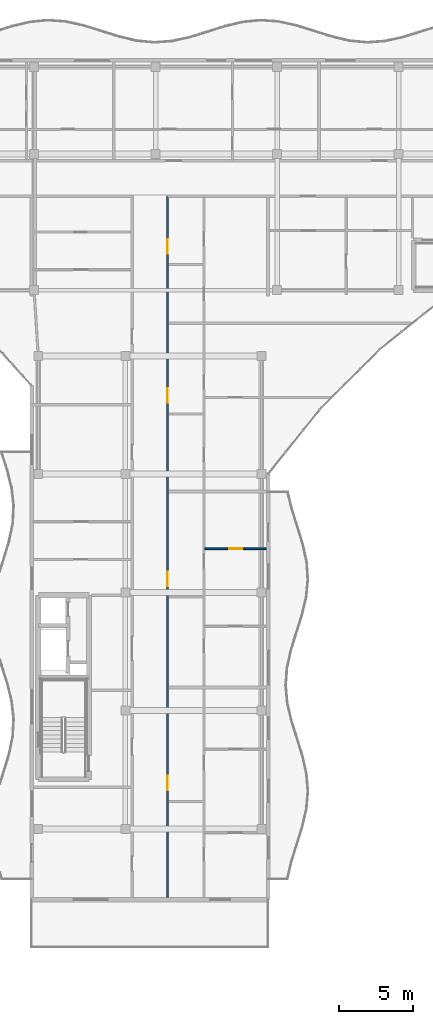
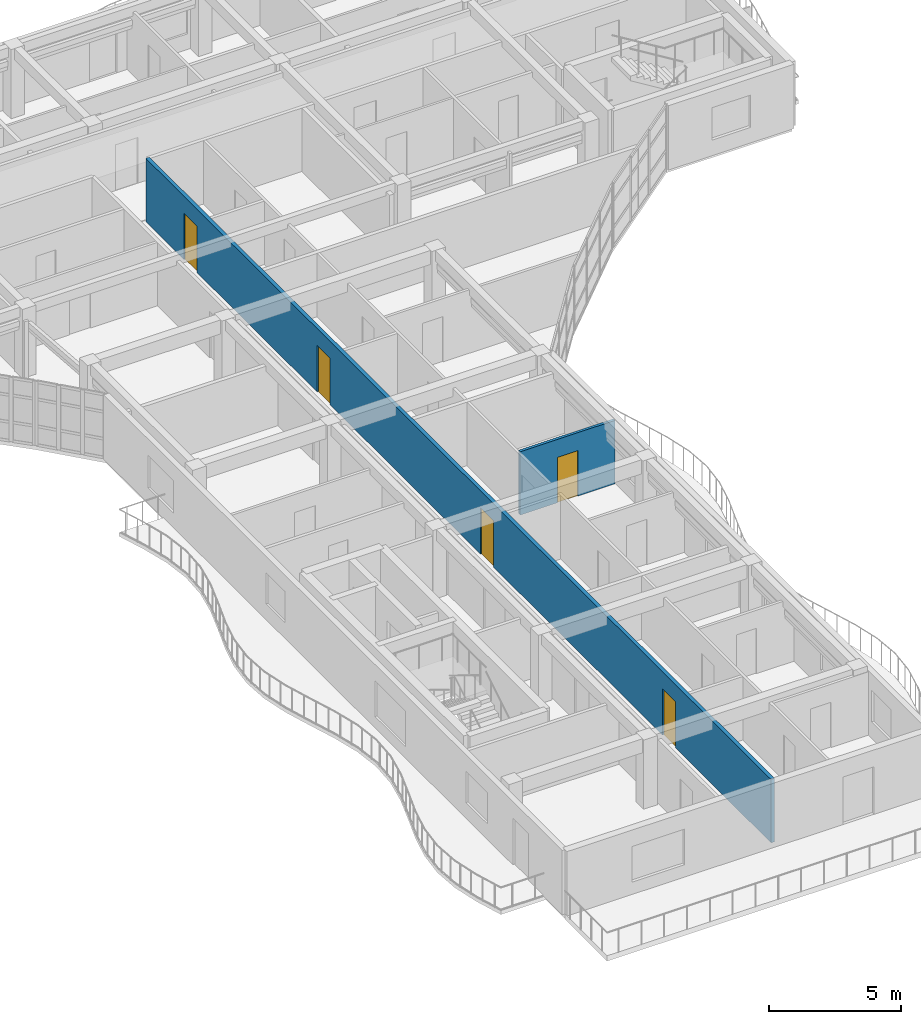
# One storey, part 32 of 71: 5 doors, 2 walls, 5 openings.
"""IFC4 building model written with IfcOpenShell, lengths in metres."""

from ifc_helpers import new_model, si_unit, direction, frame, frame_2d, origin, place, context, subcontext, project, spatial, rectangle, extrude, material, layer, layer_set, type_object, element, fill, save


model = new_model("IFC4")

# Units and contexts
model_context = context("Model", 3, precision=1e-05, world=origin(), true_north=direction((0.0, 1.0)))
body_context = subcontext(model_context, "Body", "Model", "MODEL_VIEW")
ifc_project = project(units=[si_unit("LENGTHUNIT", "METRE"), si_unit("AREAUNIT", "SQUARE_METRE"), si_unit("VOLUMEUNIT", "CUBIC_METRE"), si_unit("PLANEANGLEUNIT", "RADIAN"), si_unit("MASSUNIT", "GRAM", prefix="KILO")], contexts=[model_context])

# Site, building, storey
site_placement = place(None, origin())
site = spatial("IfcSite", under=ifc_project, at=site_placement, CompositionType="ELEMENT")
building_placement = place(site_placement, origin())
building = spatial("IfcBuilding", under=site, at=building_placement, Name="Keldmere Railside Commons", CompositionType="ELEMENT")
storey_placement = place(building_placement, frame((0.0, 0.0, 20.159912109375)))
storey = spatial("IfcBuildingStorey", under=building, at=storey_placement, Name="L06", CompositionType="ELEMENT", Elevation=20.159912109375)

# Wall, opening, door
ifc_material_1 = material(Name="Acoustic Gypsum Board Partition", Category="gypsum")
ifc_layer_1 = layer(ifc_material_1, 0.1201171875, Name="Apartment Interior Partition 120")
ifc_layer_set_1 = layer_set([ifc_layer_1], Name="Acoustic Gypsum Board Partition")
wall_type_1 = type_object("IfcWallType", Name="Apartment Interior Partition 120", PredefinedType="PARTITIONING", material=ifc_layer_set_1)
wall_1_placement = place(storey_placement, frame((59.719970703125, 82.949951171875, 0.0), z_axis=(0.0, 0.0, 1.0), x_axis=(1.0, 0.0, 0.0)))
wall_1 = element("IfcWall", 1, at=wall_1_placement, inside=storey, type_object=wall_type_1, Name="IW-4 IW-L06-0744", PredefinedType="PARTITIONING", context=body_context, shape_type="SweptSolid", body=[
    extrude(rectangle(XDim=4.159912109375, YDim=0.1201171875, at=frame_2d((2.080078125, 0.0))), origin(), (0.0, 0.0, 1.0), 2.93505859375),
])
opening_1_placement = place(wall_1_placement, frame((1.639892578125, 0.0, 0.0)))
opening_1 = element("IfcOpeningElement", 2, at=opening_1_placement, cuts=wall_1, Name="Opening ID-02", PredefinedType="OPENING", context=body_context, shape_type="SweptSolid", body=[
    extrude(rectangle(XDim=0.8798828125, YDim=2.10009765625, at=frame_2d((0.43994140625, 1.050048828125))), frame((0.0, 0.070068359375, 0.0), z_axis=(0.0, -1.0, 0.0), x_axis=(1.0, 0.0, 0.0)), (0.0, 0.0, 1.0), 0.14013671875),
])
ifc_material_2 = material(Name="Engineered Oak Timber", Category="wood")
door_type_1 = type_object("IfcDoorType", Name="Secondary Bedroom Door 880x2100", OperationType="NOTDEFINED", PredefinedType="DOOR", material=ifc_material_2)
door_1_placement = place(opening_1_placement, origin())
door_1 = element("IfcDoor", 3, at=door_1_placement, inside=storey, type_object=door_type_1, Name="ID-02 IDR-L06-0626", OperationType="SINGLE_SWING_RIGHT", OverallHeight=2.10009765625, OverallWidth=0.8798828125, PredefinedType="DOOR", context=body_context, shape_type="SweptSolid", body=[
    extrude(rectangle(XDim=0.8798828125, YDim=2.10009765625, at=frame_2d((0.43994140625, 1.050048828125))), frame((0.0, 0.02490234375, 0.0), z_axis=(0.0, -1.0, 0.0), x_axis=(1.0, 0.0, 0.0)), (0.0, 0.0, 1.0), 0.050048828125),
])
fill(opening_1, door_1)

# Wall, openings, doors
ifc_layer_2 = layer(ifc_material_1, 0.159912109375, Name="Corridor Fire Partition 160")
ifc_layer_set_2 = layer_set([ifc_layer_2], Name="Acoustic Gypsum Board Partition")
wall_type_2 = type_object("IfcWallType", Name="Corridor Fire Partition 160", PredefinedType="PARTITIONING", material=ifc_layer_set_2)
wall_2_placement = place(storey_placement, frame((57.199951171875, 59.360107421875, 0.0), z_axis=(0.0, 0.0, 1.0), x_axis=(0.0, 1.0, 0.0)))
wall_2 = element("IfcWall", 4, at=wall_2_placement, inside=storey, type_object=wall_type_2, Name="IW-2 IW-L06-0726", PredefinedType="PARTITIONING", context=body_context, shape_type="SweptSolid", body=[
    extrude(rectangle(XDim=47.43994140625, YDim=0.159912109375, at=frame_2d((23.719970703125, 0.0))), origin(), (0.0, 0.0, 1.0), 2.93505859375),
])
opening_2_placement = place(wall_2_placement, frame((7.25, 0.0, 0.0)))
opening_2 = element("IfcOpeningElement", 5, at=opening_2_placement, cuts=wall_2, Name="Opening FD-7", PredefinedType="OPENING", context=body_context, shape_type="SweptSolid", body=[
    extrude(rectangle(XDim=0.97998046875, YDim=2.14990234375, at=frame_2d((0.489990234375, 1.074951171875))), frame((0.0, 0.08984375, 0.0), z_axis=(0.0, -1.0, 0.0), x_axis=(1.0, 0.0, 0.0)), (0.0, 0.0, 1.0), 0.179931640625),
])
opening_3_placement = place(wall_2_placement, frame((21.070068359375, 0.0, 0.0)))
opening_3 = element("IfcOpeningElement", 6, at=opening_3_placement, cuts=wall_2, Name="Opening FD-7", PredefinedType="OPENING", context=body_context, shape_type="SweptSolid", body=[
    extrude(rectangle(XDim=0.97998046875, YDim=2.14990234375, at=frame_2d((0.489990234375, 1.074951171875))), frame((0.0, 0.08984375, 0.0), z_axis=(0.0, -1.0, 0.0), x_axis=(1.0, 0.0, 0.0)), (0.0, 0.0, 1.0), 0.179931640625),
])
opening_4_placement = place(wall_2_placement, frame((33.4599609375, 0.0, 0.0)))
opening_4 = element("IfcOpeningElement", 7, at=opening_4_placement, cuts=wall_2, Name="Opening FD-7", PredefinedType="OPENING", context=body_context, shape_type="SweptSolid", body=[
    extrude(rectangle(XDim=0.97998046875, YDim=2.14990234375, at=frame_2d((0.489990234375, 1.074951171875))), frame((0.0, 0.08984375, 0.0), z_axis=(0.0, -1.0, 0.0), x_axis=(1.0, 0.0, 0.0)), (0.0, 0.0, 1.0), 0.179931640625),
])
opening_5_placement = place(wall_2_placement, frame((43.56005859375, 0.0, 0.0)))
opening_5 = element("IfcOpeningElement", 8, at=opening_5_placement, cuts=wall_2, Name="Opening FD-7", PredefinedType="OPENING", context=body_context, shape_type="SweptSolid", body=[
    extrude(rectangle(XDim=0.97998046875, YDim=2.14990234375, at=frame_2d((0.489990234375, 1.074951171875))), frame((0.0, 0.08984375, 0.0), z_axis=(0.0, -1.0, 0.0), x_axis=(1.0, 0.0, 0.0)), (0.0, 0.0, 1.0), 0.179931640625),
])
door_type_2 = type_object("IfcDoorType", Name="Apartment Entrance Acoustic Fire Door 980x2150", OperationType="NOTDEFINED", PredefinedType="DOOR", material=ifc_material_2)
door_2_placement = place(opening_2_placement, origin())
door_2 = element("IfcDoor", 9, at=door_2_placement, inside=storey, type_object=door_type_2, Name="FD-7 IDR-L06-0619", OperationType="SINGLE_SWING_LEFT", OverallHeight=2.14990234375, OverallWidth=0.97998046875, PredefinedType="DOOR", context=body_context, shape_type="SweptSolid", body=[
    extrude(rectangle(XDim=0.97998046875, YDim=2.14990234375, at=frame_2d((0.489990234375, 1.074951171875))), frame((0.0, 0.02490234375, 0.0), z_axis=(0.0, -1.0, 0.0), x_axis=(1.0, 0.0, 0.0)), (0.0, 0.0, 1.0), 0.050048828125),
])
fill(opening_2, door_2)
door_3_placement = place(opening_3_placement, origin())
door_3 = element("IfcDoor", 10, at=door_3_placement, inside=storey, type_object=door_type_2, Name="FD-7 IDR-L06-0624", OperationType="SINGLE_SWING_RIGHT", OverallHeight=2.14990234375, OverallWidth=0.97998046875, PredefinedType="DOOR", context=body_context, shape_type="SweptSolid", body=[
    extrude(rectangle(XDim=0.97998046875, YDim=2.14990234375, at=frame_2d((0.489990234375, 1.074951171875))), frame((0.0, 0.02490234375, 0.0), z_axis=(0.0, -1.0, 0.0), x_axis=(1.0, 0.0, 0.0)), (0.0, 0.0, 1.0), 0.050048828125),
])
fill(opening_3, door_3)
door_4_placement = place(opening_4_placement, origin())
door_4 = element("IfcDoor", 11, at=door_4_placement, inside=storey, type_object=door_type_2, Name="FD-7 IDR-L06-0629", OperationType="SINGLE_SWING_LEFT", OverallHeight=2.14990234375, OverallWidth=0.97998046875, PredefinedType="DOOR", context=body_context, shape_type="SweptSolid", body=[
    extrude(rectangle(XDim=0.97998046875, YDim=2.14990234375, at=frame_2d((0.489990234375, 1.074951171875))), frame((0.0, 0.02490234375, 0.0), z_axis=(0.0, -1.0, 0.0), x_axis=(1.0, 0.0, 0.0)), (0.0, 0.0, 1.0), 0.050048828125),
])
fill(opening_4, door_4)
door_5_placement = place(opening_5_placement, origin())
door_5 = element("IfcDoor", 12, at=door_5_placement, inside=storey, type_object=door_type_2, Name="FD-7 IDR-L06-0633", OperationType="SINGLE_SWING_LEFT", OverallHeight=2.14990234375, OverallWidth=0.97998046875, PredefinedType="DOOR", context=body_context, shape_type="SweptSolid", body=[
    extrude(rectangle(XDim=0.97998046875, YDim=2.14990234375, at=frame_2d((0.489990234375, 1.074951171875))), frame((0.0, 0.02490234375, 0.0), z_axis=(0.0, -1.0, 0.0), x_axis=(1.0, 0.0, 0.0)), (0.0, 0.0, 1.0), 0.050048828125),
])
fill(opening_5, door_5)

save(model, "model.ifc")
